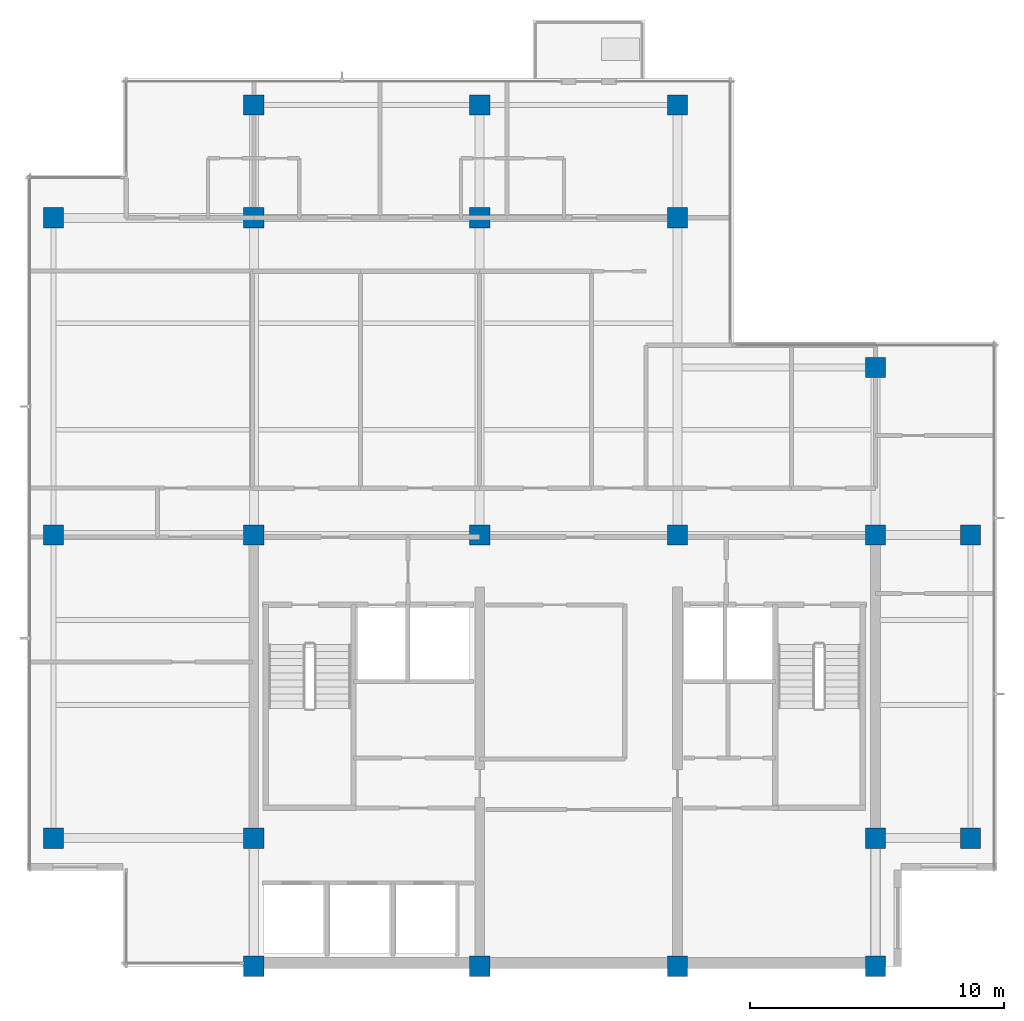
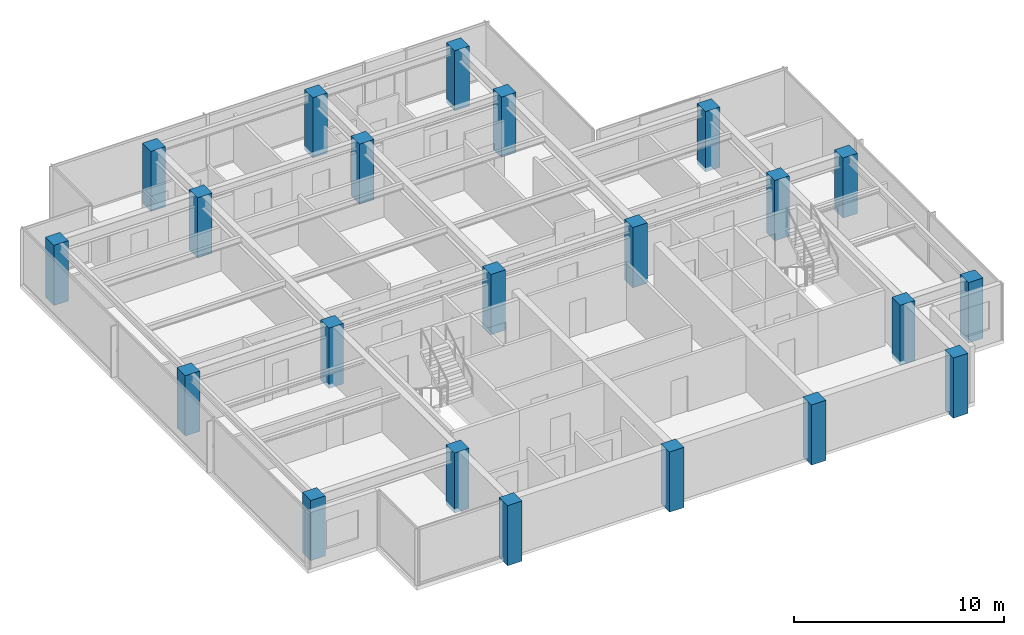
# One storey, part 1 of 11: 22 columns.
"""IFC4 building model written with IfcOpenShell, lengths in metres."""

from ifc_helpers import new_model, si_unit, direction, frame, origin, origin_2d, place, context, subcontext, project, spatial, rectangle, extrude, material, material_profile, profile_set, type_object, element, save


model = new_model("IFC4")

# Units and contexts
model_context = context("Model", 3, precision=1e-05, world=origin(), true_north=direction((0.0, 1.0)))
body_context = subcontext(model_context, "Body", "Model", "MODEL_VIEW")
ifc_project = project(units=[si_unit("LENGTHUNIT", "METRE"), si_unit("AREAUNIT", "SQUARE_METRE"), si_unit("VOLUMEUNIT", "CUBIC_METRE"), si_unit("PLANEANGLEUNIT", "RADIAN"), si_unit("MASSUNIT", "GRAM", prefix="KILO")], contexts=[model_context])

# Site, building, storey
site_placement = place(None, origin())
site = spatial("IfcSite", under=ifc_project, at=site_placement, CompositionType="ELEMENT")
building_placement = place(site_placement, origin())
building = spatial("IfcBuilding", under=site, at=building_placement, Name="Qalmaran Belvedere Hotel", CompositionType="ELEMENT")
storey_placement = place(building_placement, frame((0.0, 0.0, 259.89990234375)))
storey = spatial("IfcBuildingStorey", under=building, at=storey_placement, Name="L67", CompositionType="ELEMENT", Elevation=259.89990234375)

# Columns
ifc_material = material(Name="Concrete C50/60", Category="concrete")
ifc_material_profile = material_profile(ifc_material, rectangle(XDim=0.800048828125, YDim=0.800048828125, at=origin_2d()), Name="CC800X800")
ifc_profile_set = profile_set([ifc_material_profile], Name="Concrete C50/60")
column_type = type_object("IfcColumnType", Name="COL-Z5-CC800", PredefinedType="COLUMN", material=ifc_profile_set)
for number, where, z_axis, x_axis, name in (
    (1, (20.300048828125, 3.5, -0.239990234375), (0.0, 0.0, 1.0), (1.0, 0.0, 0.0), "L67 Column C4B"),
    (2, (29.199951171875, 3.5, -0.239990234375), (0.0, 0.0, 1.0), (1.0, 0.0, 0.0), "L67 Column C5B"),
    (3, (37.0, 3.5, -0.239990234375), (0.0, 0.0, 1.0), (1.0, 0.0, 0.0), "L67 Column C6B"),
    (4, (44.800048828125, 3.5, -0.239990234375), (0.0, 0.0, 1.0), (1.0, 0.0, 0.0), "L67 Column C7B"),
    (5, (20.300048828125, 8.550048828125, -0.239990234375), (0.0, 0.0, 1.0), (1.0, 0.0, 0.0), "L67 Column C4C"),
    (6, (44.800048828125, 8.550048828125, -0.239990234375), (0.0, 0.0, 1.0), (1.0, 0.0, 0.0), "L67 Column C7C"),
    (7, (20.300048828125, 20.5, -0.239990234375), (0.0, 0.0, 1.0), (1.0, 0.0, 0.0), "L67 Column C4D"),
    (8, (29.199951171875, 20.5, -0.239990234375), (0.0, 0.0, 1.0), (1.0, 0.0, 0.0), "L67 Column C5D"),
    (9, (37.0, 20.5, -0.239990234375), (0.0, 0.0, 1.0), (1.0, 0.0, 0.0), "L67 Column C6D"),
    (10, (44.800048828125, 20.5, -0.239990234375), (0.0, 0.0, 1.0), (1.0, 0.0, 0.0), "L67 Column C7D"),
    (11, (20.300048828125, 33.0, -0.239990234375), (0.0, 0.0, 1.0), (1.0, 0.0, 0.0), "L67 Column C4F"),
    (12, (29.199951171875, 33.0, -0.239990234375), (0.0, 0.0, 1.0), (1.0, 0.0, 0.0), "L67 Column C5F"),
    (13, (37.0, 33.0, -0.239990234375), (0.0, 0.0, 1.0), (1.0, 0.0, 0.0), "L67 Column C6F"),
    (14, (44.800048828125, 27.10009765625, -0.239990234375), (0.0, 0.0, 1.0), (1.0, 0.0, 0.0), "L67 Column C7E"),
    (15, (12.39990234375, 8.550048828125, -0.239990234375), (0.0, 0.0, 1.0), (1.0, 0.0, 0.0), "L67 Column CW1"),
    (16, (12.39990234375, 20.5, -0.239990234375), (0.0, 0.0, 1.0), (1.0, 0.0, 0.0), "L67 Column CW3"),
    (17, (12.39990234375, 33.0, -0.239990234375), (0.0, 0.0, 1.0), (1.0, 0.0, 0.0), "L67 Column CW4"),
    (18, (48.550048828125, 8.550048828125, -0.239990234375), (0.0, 0.0, 1.0), (1.0, 0.0, 0.0), "L67 Column CE1"),
    (19, (48.550048828125, 20.5, -0.239990234375), (0.0, 0.0, 1.0), (1.0, 0.0, 0.0), "L67 Column CE3"),
    (20, (20.300048828125, 37.449951171875, -0.239990234375), (0.0, 0.0, 1.0), (1.0, 0.0, 0.0), "L67 Column CN1"),
    (21, (29.199951171875, 37.449951171875, -0.239990234375), (0.0, 0.0, 1.0), (1.0, 0.0, 0.0), "L67 Column CN2"),
    (22, (37.0, 37.449951171875, -0.239990234375), (0.0, 0.0, 1.0), (1.0, 0.0, 0.0), "L67 Column CN3"),
):
    element("IfcColumn", number, at=place(storey_placement, frame(where, z_axis=z_axis, x_axis=x_axis)), inside=storey, type_object=column_type, Name=name, PredefinedType="COLUMN", context=body_context, shape_type="SweptSolid", body=[
        extrude(rectangle(XDim=0.800048828125, YDim=0.800048828125, at=origin_2d()), origin(), (0.0, 0.0, 1.0), 3.5),
    ])

save(model, "model.ifc")
